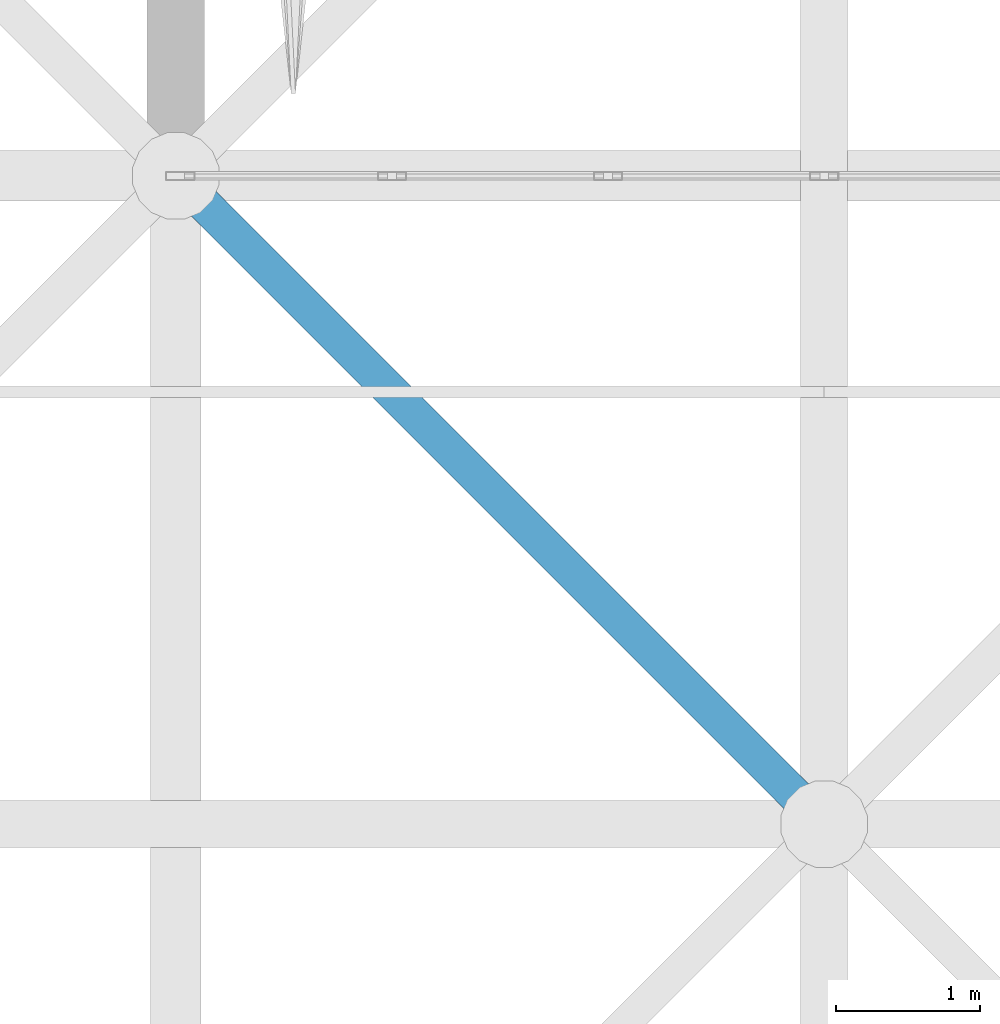
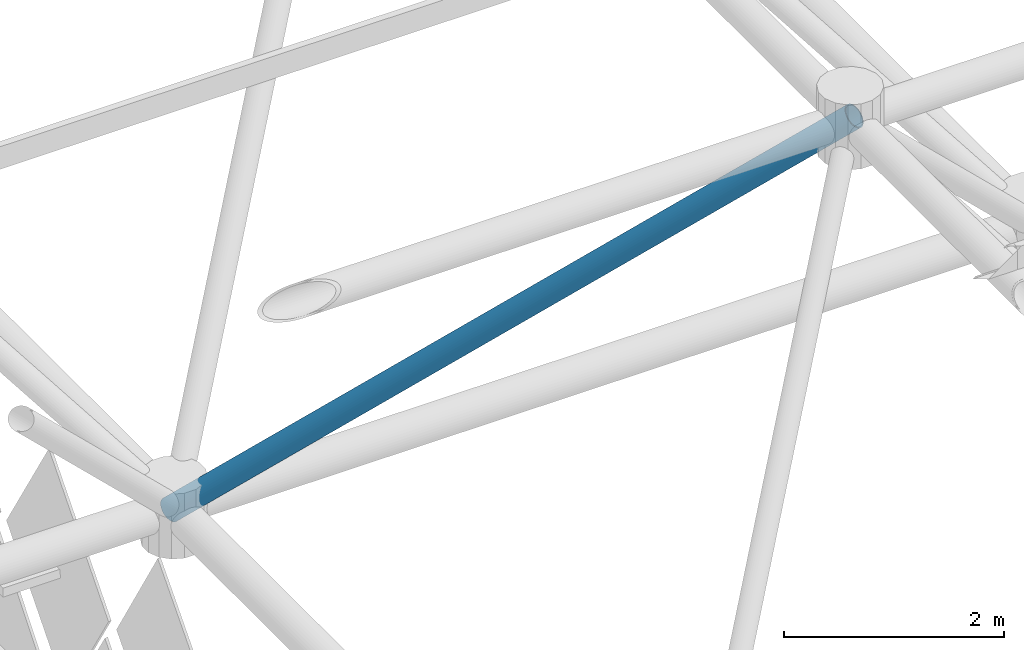
# One storey, part 154 of 437: 1 member.
"""IFC4 building model written with IfcOpenShell, lengths in metres."""

from ifc_helpers import new_model, si_unit, direction, frame, origin, origin_2d, place, context, subcontext, project, spatial, hollow_circle, extrude, material, material_profile, profile_set, type_object, element, save


model = new_model("IFC4")

# Units and contexts
model_context = context("Model", 3, precision=1e-05, world=origin(), true_north=direction((0.0, 1.0)))
body_context = subcontext(model_context, "Body", "Model", "MODEL_VIEW")
ifc_project = project(units=[si_unit("LENGTHUNIT", "METRE"), si_unit("AREAUNIT", "SQUARE_METRE"), si_unit("VOLUMEUNIT", "CUBIC_METRE"), si_unit("PLANEANGLEUNIT", "RADIAN"), si_unit("MASSUNIT", "GRAM", prefix="KILO")], contexts=[model_context])

# Site, building, storey
site_placement = place(None, origin())
site = spatial("IfcSite", under=ifc_project, at=site_placement, CompositionType="ELEMENT")
building_placement = place(site_placement, origin())
building = spatial("IfcBuilding", under=site, at=building_placement, Name="Opaline Strait Convention Centre", CompositionType="ELEMENT")
storey_placement = place(building_placement, frame((0.0, 0.0, 11.5)))
storey = spatial("IfcBuildingStorey", under=building, at=storey_placement, Name="L02", CompositionType="ELEMENT", Elevation=11.5)

# Member
ifc_material = material(Name="Steel Q355B", Category="steel")
ifc_material_profile = material_profile(ifc_material, hollow_circle(Radius=0.12255859375, WallThickness=0.011962890625, at=origin_2d()), Name="CHS 245x12")
ifc_profile_set = profile_set([ifc_material_profile], Name="Steel Q355B")
member_type = type_object("IfcMemberType", Name="Space frame web CHS 245x12", PredefinedType="BRACE", material=ifc_profile_set)
member_placement = place(storey_placement, frame((157.52685546875, 139.47314453125, 18.004150390625), z_axis=(-0.536178220346, 0.536178220346, -0.6519400525), x_axis=(-0.707106781187, -0.707106781187, 0.0)))
element("IfcMember", 1, at=member_placement, inside=storey, type_object=member_type, Name="EXB-RF-W-7-11-10", PredefinedType="BRACE", context=body_context, shape_type="SweptSolid", body=[
    extrude(hollow_circle(Radius=0.12255859375, WallThickness=0.011962890625, at=origin_2d()), origin(), (0.0, 0.0, 1.0), 8.492919921875),
])

save(model, "model.ifc")
